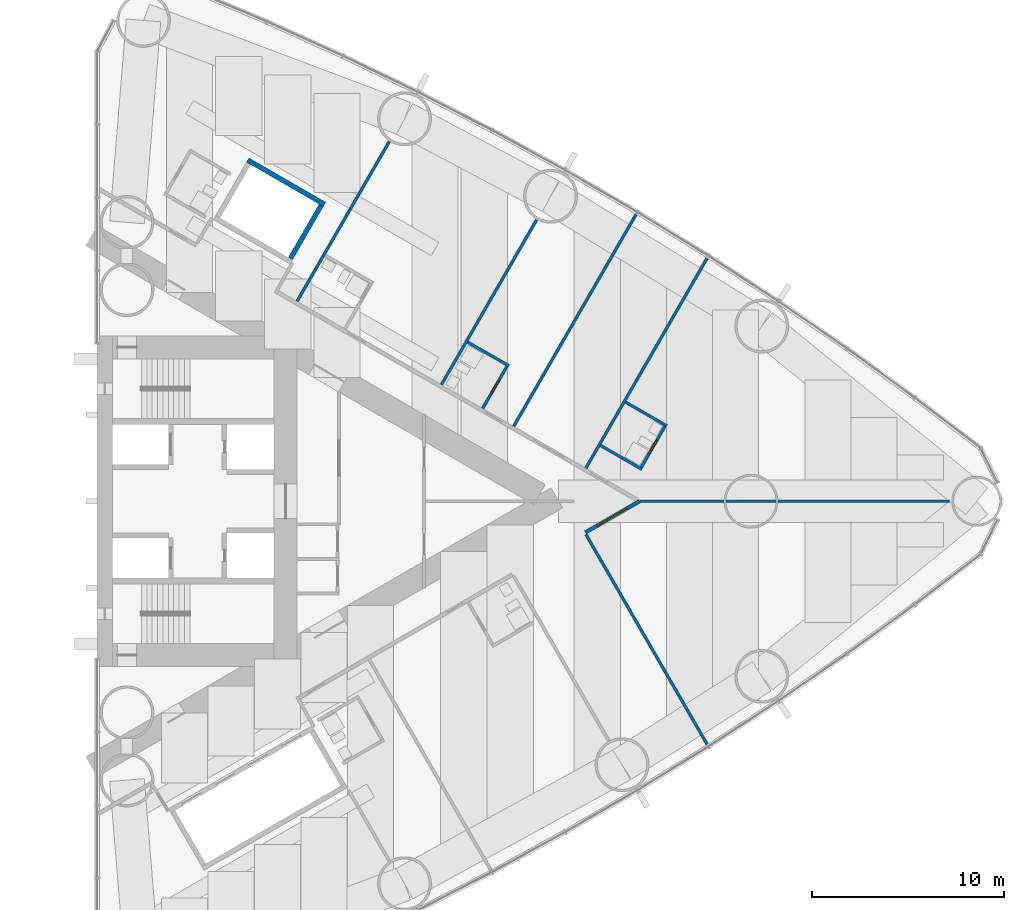
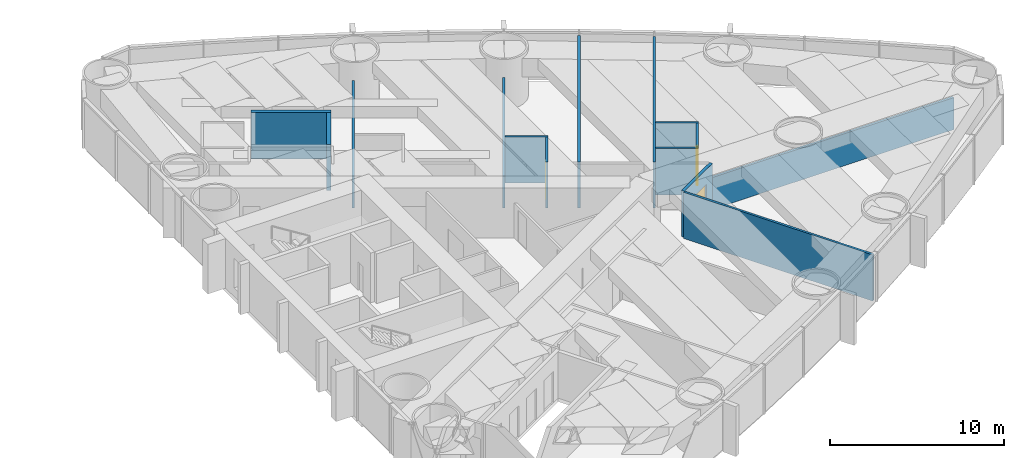
# One storey, part 16 of 19: 14 walls, 3 doors, 3 openings.
"""IFC4 building model written with IfcOpenShell, lengths in metres."""

from ifc_helpers import new_model, si_unit, direction, frame, frame_2d, origin, place, context, subcontext, project, spatial, rectangle, extrude, material, layer, layer_set, type_object, element, fill, save


model = new_model("IFC4")

# Units and contexts
model_context = context("Model", 3, precision=1e-05, world=origin(), true_north=direction((0.0, 1.0)))
body_context = subcontext(model_context, "Body", "Model", "MODEL_VIEW")
ifc_project = project(units=[si_unit("LENGTHUNIT", "METRE"), si_unit("AREAUNIT", "SQUARE_METRE"), si_unit("VOLUMEUNIT", "CUBIC_METRE"), si_unit("PLANEANGLEUNIT", "RADIAN"), si_unit("MASSUNIT", "GRAM", prefix="KILO")], contexts=[model_context])

# Site, building, storey
site_placement = place(None, origin())
site = spatial("IfcSite", under=ifc_project, at=site_placement, CompositionType="ELEMENT")
building_placement = place(site_placement, origin())
building = spatial("IfcBuilding", under=site, at=building_placement, Name="Lancet Gate Hotel", CompositionType="ELEMENT")
storey_placement = place(building_placement, frame((0.0, 0.0, 70.5)))
storey = spatial("IfcBuildingStorey", under=building, at=storey_placement, Name="L18", CompositionType="ELEMENT", Elevation=70.5)

# Wall
ifc_material_1 = material(Name="Moisture resistant board partition")
ifc_layer_1 = layer(ifc_material_1, 0.14990234375)
ifc_layer_set_1 = layer_set([ifc_layer_1], Name="Bathroom wall 150")
wall_type_1 = type_object("IfcWallType", Name="Bathroom wall 150", PredefinedType="PARTITIONING", material=ifc_layer_set_1)
wall_1_placement = place(storey_placement, frame((54.979736328125, 5.1513671875, 0.0), z_axis=(0.0, 0.0, 1.0), x_axis=(0.86604923931, -0.499958713387, 0.0)))
element("IfcWall", 1, at=wall_1_placement, inside=storey, type_object=wall_type_1, Name="T2 bathroom wall 150 L18", PredefinedType="PARTITIONING", context=body_context, shape_type="SweptSolid", body=[
    extrude(rectangle(XDim=2.474853515625, YDim=0.14990234375, at=frame_2d((1.2373046875, 0.0))), origin(), (0.0, 0.0, 1.0), 3.25),
])

# Wall, opening, door
wall_2_placement = place(storey_placement, frame((55.758056640625, 1.69970703125, 0.0), z_axis=(0.0, 0.0, 1.0), x_axis=(0.500006934395, 0.866021400173, 0.0)))
wall_2 = element("IfcWall", 2, at=wall_2_placement, inside=storey, type_object=wall_type_1, Name="T2 bathroom wall 150 L18", PredefinedType="PARTITIONING", context=body_context, shape_type="SweptSolid", body=[
    extrude(rectangle(XDim=2.60009765625, YDim=0.14990234375, at=frame_2d((1.300048828125, 0.0))), origin(), (0.0, 0.0, 1.0), 3.25),
])
opening_1_placement = place(wall_2_placement, frame((0.89990234375, 0.0, 0.0)))
opening_1 = element("IfcOpeningElement", 3, at=opening_1_placement, cuts=wall_2, Name="Opening 1858-B", PredefinedType="OPENING", context=body_context, shape_type="SweptSolid", body=[
    extrude(rectangle(XDim=0.800048828125, YDim=2.199951171875, at=frame_2d((0.39990234375, 1.10009765625))), frame((0.0, 0.0849609375, 0.0), z_axis=(0.0, -1.0, 0.0), x_axis=(1.0, 0.0, 0.0)), (0.0, 0.0, 1.0), 0.169921875),
])
ifc_material_2 = material(Name="Timber door set", Category="wood")
door_type_1 = type_object("IfcDoorType", Name="Bathroom door 800", OperationType="SINGLE_SWING_RIGHT", PredefinedType="DOOR", material=ifc_material_2)
door_1_placement = place(opening_1_placement, origin())
door_1 = element("IfcDoor", 4, at=door_1_placement, inside=storey, type_object=door_type_1, Name="1858-B", OperationType="SINGLE_SWING_RIGHT", OverallHeight=2.199951171875, OverallWidth=0.800048828125, PredefinedType="DOOR", context=body_context, shape_type="SweptSolid", body=[
    extrude(rectangle(XDim=0.800048828125, YDim=2.199951171875, at=frame_2d((0.39990234375, 1.10009765625))), frame((0.0, 0.02490234375, 0.0), z_axis=(0.0, -1.0, 0.0), x_axis=(1.0, 0.0, 0.0)), (0.0, 0.0, 1.0), 0.050048828125),
])
fill(opening_1, door_1)

# Walls
wall_3_placement = place(storey_placement, frame((53.6796875, 2.89990234375, 0.0), z_axis=(0.0, 0.0, 1.0), x_axis=(0.866006523861, -0.500032699561, 0.0)))
element("IfcWall", 5, at=wall_3_placement, inside=storey, type_object=wall_type_1, Name="T2 bathroom wall 150 L18", PredefinedType="PARTITIONING", context=body_context, shape_type="SweptSolid", body=[
    extrude(rectangle(XDim=2.474853515625, YDim=0.14990234375, at=frame_2d((1.2373046875, 0.0))), origin(), (0.0, 0.0, 1.0), 3.25),
])
wall_4_placement = place(storey_placement, frame((46.767822265625, 8.27587890625, 0.0), z_axis=(0.0, 0.0, 1.0), x_axis=(0.866031185235, -0.4999899861, 0.0)))
element("IfcWall", 6, at=wall_4_placement, inside=storey, type_object=wall_type_1, Name="T2 bathroom wall 150 L18", PredefinedType="PARTITIONING", context=body_context, shape_type="SweptSolid", body=[
    extrude(rectangle(XDim=2.47509765625, YDim=0.14990234375, at=frame_2d((1.237548828125, 0.0))), origin(), (0.0, 0.0, 1.0), 3.25),
])

# Wall, opening, door
wall_5_placement = place(storey_placement, frame((47.54638671875, 4.82421875, 0.0), z_axis=(0.0, 0.0, 1.0), x_axis=(0.500006934395, 0.866021400173, 0.0)))
wall_5 = element("IfcWall", 7, at=wall_5_placement, inside=storey, type_object=wall_type_1, Name="T2 bathroom wall 150 L18", PredefinedType="PARTITIONING", context=body_context, shape_type="SweptSolid", body=[
    extrude(rectangle(XDim=2.60009765625, YDim=0.14990234375, at=frame_2d((1.300048828125, 0.0))), origin(), (0.0, 0.0, 1.0), 3.25),
])
opening_2_placement = place(wall_5_placement, frame((0.89990234375, 0.0, 0.0)))
opening_2 = element("IfcOpeningElement", 8, at=opening_2_placement, cuts=wall_5, Name="Opening 1860-B", PredefinedType="OPENING", context=body_context, shape_type="SweptSolid", body=[
    extrude(rectangle(XDim=0.800048828125, YDim=2.199951171875, at=frame_2d((0.39990234375, 1.10009765625))), frame((0.0, 0.0849609375, 0.0), z_axis=(0.0, -1.0, 0.0), x_axis=(1.0, 0.0, 0.0)), (0.0, 0.0, 1.0), 0.169921875),
])
door_2_placement = place(opening_2_placement, origin())
door_2 = element("IfcDoor", 9, at=door_2_placement, inside=storey, type_object=door_type_1, Name="1860-B", OperationType="SINGLE_SWING_RIGHT", OverallHeight=2.199951171875, OverallWidth=0.800048828125, PredefinedType="DOOR", context=body_context, shape_type="SweptSolid", body=[
    extrude(rectangle(XDim=0.800048828125, YDim=2.199951171875, at=frame_2d((0.39990234375, 1.10009765625))), frame((0.0, 0.02490234375, 0.0), z_axis=(0.0, -1.0, 0.0), x_axis=(1.0, 0.0, 0.0)), (0.0, 0.0, 1.0), 0.050048828125),
])
fill(opening_2, door_2)

ifc_material_3 = material(Name="Gypsum board partition")
ifc_layer_2 = layer(ifc_material_3, 0.199951171875)
ifc_layer_set_2 = layer_set([ifc_layer_2], Name="Corridor wall 200")
wall_type_2 = type_object("IfcWallType", Name="Corridor wall 200", PredefinedType="PARTITIONING", material=ifc_layer_set_2)
wall_6_placement = place(storey_placement, frame((52.88623046875, -1.625732421875, 0.0), z_axis=(0.0, 0.0, 1.0), x_axis=(0.866030540913, 0.499991102127, 0.0)))
wall_6 = element("IfcWall", 10, at=wall_6_placement, inside=storey, type_object=wall_type_2, Name="T2 corridor wall 200 L18", PredefinedType="PARTITIONING", context=body_context, shape_type="SweptSolid", body=[
    extrude(rectangle(XDim=3.25146484375, YDim=0.199951171875, at=frame_2d((1.625732421875, 0.0))), origin(), (0.0, 0.0, 1.0), 3.25),
])
opening_3_placement = place(wall_6_placement, frame((0.725830078125, 0.0, 0.0)))
opening_3 = element("IfcOpeningElement", 11, at=opening_3_placement, cuts=wall_6, Name="Opening 1857-E", PredefinedType="OPENING", context=body_context, shape_type="SweptSolid", body=[
    extrude(rectangle(XDim=1.800048828125, YDim=2.199951171875, at=frame_2d((0.89990234375, 1.10009765625))), frame((0.0, 0.10986328125, 0.0), z_axis=(0.0, -1.0, 0.0), x_axis=(1.0, 0.0, 0.0)), (0.0, 0.0, 1.0), 0.219970703125),
])
ifc_material_4 = material(Name="Timber door set", Category="wood")
door_type_2 = type_object("IfcDoorType", Name="Double door 1800", OperationType="DOUBLE_DOOR_SINGLE_SWING", PredefinedType="DOOR", material=ifc_material_4)
door_3_placement = place(opening_3_placement, origin())
door_3 = element("IfcDoor", 12, at=door_3_placement, inside=storey, type_object=door_type_2, Name="1857-E", OperationType="DOUBLE_DOOR_SINGLE_SWING", OverallHeight=2.199951171875, OverallWidth=1.800048828125, PredefinedType="DOOR", context=body_context, shape_type="SweptSolid", body=[
    extrude(rectangle(XDim=1.800048828125, YDim=2.199951171875, at=frame_2d((0.89990234375, 1.10009765625))), frame((0.0, 0.02490234375, 0.0), z_axis=(0.0, -1.0, 0.0), x_axis=(1.0, 0.0, 0.0)), (0.0, 0.0, 1.0), 0.050048828125),
])
fill(opening_3, door_3)

# Walls
ifc_material_5 = material(Name="Gypsum board partition")
ifc_layer_3 = layer(ifc_material_5, 0.25)
ifc_layer_set_3 = layer_set([ifc_layer_3], Name="Lift shaft partition 250")
wall_type_3 = type_object("IfcWallType", Name="Lift shaft partition 250", PredefinedType="PARTITIONING", material=ifc_layer_set_3)
wall_7_placement = place(storey_placement, frame((35.33349609375, 17.73583984375, 0.0), z_axis=(0.0, 0.0, 1.0), x_axis=(0.866043305498, -0.49996899204, 0.0)))
element("IfcWall", 13, at=wall_7_placement, inside=storey, type_object=wall_type_3, Name="T2 lift shaft wall EX L18", PredefinedType="PARTITIONING", context=body_context, shape_type="SweptSolid", body=[
    extrude(rectangle(XDim=4.600341796875, YDim=0.25, at=frame_2d((2.30029296875, 0.0))), origin(), (0.0, 0.0, 1.0), 3.25),
])
wall_8_placement = place(storey_placement, frame((37.546630859375, 12.617919921875, 0.0), z_axis=(0.0, 0.0, 1.0), x_axis=(0.499929347863, 0.866066190972, 0.0)))
element("IfcWall", 14, at=wall_8_placement, inside=storey, type_object=wall_type_3, Name="T2 lift shaft wall EX L18", PredefinedType="PARTITIONING", context=body_context, shape_type="SweptSolid", body=[
    extrude(rectangle(XDim=3.20068359375, YDim=0.25, at=frame_2d((1.600341796875, 0.0))), origin(), (0.0, 0.0, 1.0), 3.25),
])
ifc_material_6 = material(Name="Gypsum board partition")
ifc_layer_4 = layer(ifc_material_6, 0.14990234375)
ifc_layer_set_4 = layer_set([ifc_layer_4], Name="Party wall 150")
wall_type_4 = type_object("IfcWallType", Name="Party wall 150", PredefinedType="PARTITIONING", material=ifc_layer_set_4)
wall_9_placement = place(storey_placement, frame((52.914794921875, -1.724853515625, 0.0), z_axis=(0.0, 0.0, 1.0), x_axis=(0.499997163113, -0.866027041656, 0.0)))
element("IfcWall", 15, at=wall_9_placement, inside=storey, type_object=wall_type_4, Name="T2 party wall 150 L18", PredefinedType="PARTITIONING", context=body_context, shape_type="SweptSolid", body=[
    extrude(rectangle(XDim=12.5908203125, YDim=0.14990234375, at=frame_2d((6.29541015625, 0.0))), origin(), (0.0, 0.0, 1.0), 3.25),
])
wall_10_placement = place(storey_placement, frame((37.895263671875, 10.396484375, 0.0), z_axis=(0.0, 0.0, 1.0), x_axis=(0.499995616528, 0.866027934568, 0.0)))
element("IfcWall", 16, at=wall_10_placement, inside=storey, type_object=wall_type_4, Name="T2 party wall 150 L18", PredefinedType="PARTITIONING", context=body_context, shape_type="SweptSolid", body=[
    extrude(rectangle(XDim=9.59326171875, YDim=0.14990234375, at=frame_2d((4.796630859375, 0.0))), origin(), (0.0, 0.0, 1.0), 2.25),
])
wall_11_placement = place(storey_placement, frame((45.40283203125, 6.061767578125, 0.0), z_axis=(0.0, 0.0, 1.0), x_axis=(0.500013434677, 0.866017647131, 0.0)))
element("IfcWall", 17, at=wall_11_placement, inside=storey, type_object=wall_type_4, Name="T2 party wall 150 L18", PredefinedType="PARTITIONING", context=body_context, shape_type="SweptSolid", body=[
    extrude(rectangle(XDim=9.901611328125, YDim=0.14990234375, at=frame_2d((4.95068359375, 0.0))), origin(), (0.0, 0.0, 1.0), 2.25),
])
wall_12_placement = place(storey_placement, frame((49.159423828125, 3.892822265625, 0.0), z_axis=(0.0, 0.0, 1.0), x_axis=(0.499995664361, 0.866027906952, 0.0)))
element("IfcWall", 18, at=wall_12_placement, inside=storey, type_object=wall_type_4, Name="T2 party wall 150 L18", PredefinedType="PARTITIONING", context=body_context, shape_type="SweptSolid", body=[
    extrude(rectangle(XDim=12.71142578125, YDim=0.14990234375, at=frame_2d((6.355712890625, 0.0))), origin(), (0.0, 0.0, 1.0), 3.25),
])
wall_13_placement = place(storey_placement, frame((52.914794921875, 1.724853515625, 0.0), z_axis=(0.0, 0.0, 1.0), x_axis=(0.499997163113, 0.866027041656, 0.0)))
element("IfcWall", 19, at=wall_13_placement, inside=storey, type_object=wall_type_4, Name="T2 party wall 150 L18", PredefinedType="PARTITIONING", context=body_context, shape_type="SweptSolid", body=[
    extrude(rectangle(XDim=12.5908203125, YDim=0.14990234375, at=frame_2d((6.29541015625, 0.0))), origin(), (0.0, 0.0, 1.0), 3.25),
])
wall_14_placement = place(storey_placement, frame((55.7021484375, 0.0, 0.0), z_axis=(0.0, 0.0, 1.0), x_axis=(1.0, 0.0, 0.0)))
element("IfcWall", 20, at=wall_14_placement, inside=storey, type_object=wall_type_4, Name="T2 party wall 150 L18", PredefinedType="PARTITIONING", context=body_context, shape_type="SweptSolid", body=[
    extrude(rectangle(XDim=16.116943359375, YDim=0.14990234375, at=frame_2d((8.05859375, 0.0))), origin(), (0.0, 0.0, 1.0), 2.25),
])

save(model, "model.ifc")
